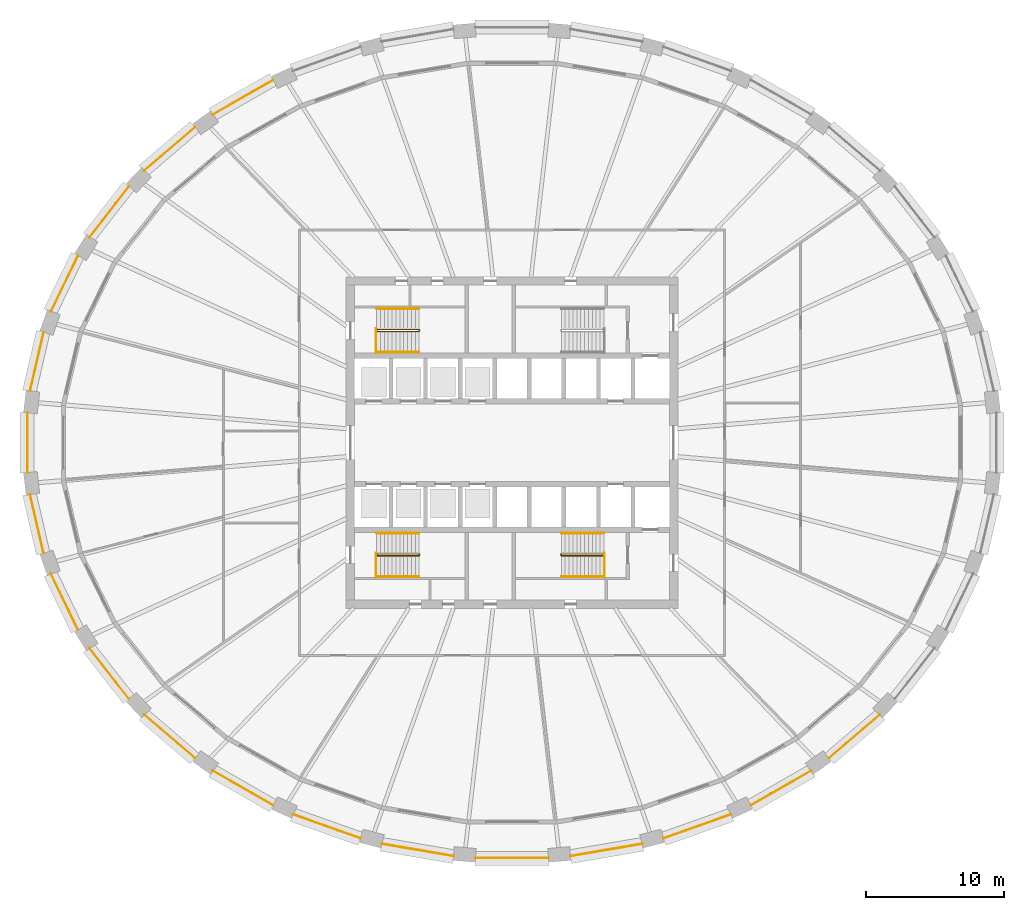
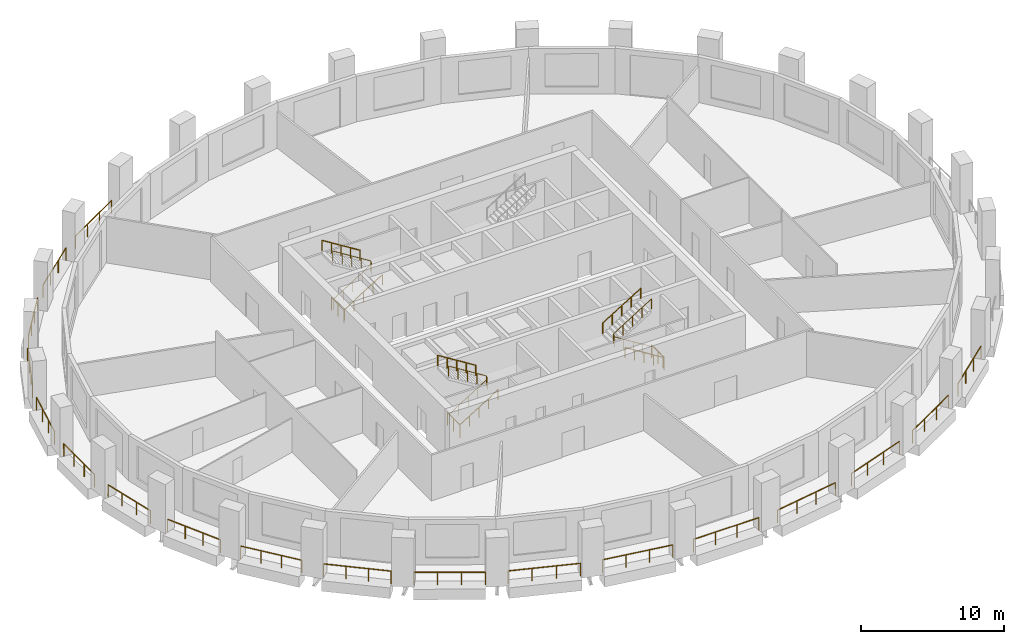
# One storey, part 8 of 10: 30 railings.
"""IFC4 building model written with IfcOpenShell, lengths in metres."""

from ifc_helpers import new_model, si_unit, direction, frame, origin, origin_2d, place, context, subcontext, project, spatial, circle, extrude, material, type_object, element, save


model = new_model("IFC4")

# Units and contexts
model_context = context("Model", 3, precision=1e-05, world=origin(), true_north=direction((0.0, 1.0)))
body_context = subcontext(model_context, "Body", "Model", "MODEL_VIEW")
ifc_project = project(units=[si_unit("LENGTHUNIT", "METRE"), si_unit("AREAUNIT", "SQUARE_METRE"), si_unit("VOLUMEUNIT", "CUBIC_METRE"), si_unit("PLANEANGLEUNIT", "RADIAN"), si_unit("MASSUNIT", "GRAM", prefix="KILO")], contexts=[model_context])

# Site, building, storey
site_placement = place(None, origin())
site = spatial("IfcSite", under=ifc_project, at=site_placement, CompositionType="ELEMENT")
building_placement = place(site_placement, origin())
building = spatial("IfcBuilding", under=site, at=building_placement, Name="Halqa Exchange Tower", CompositionType="ELEMENT")
storey_placement = place(building_placement, frame((0.0, 0.0, 112.89990234375)))
storey = spatial("IfcBuildingStorey", under=building, at=storey_placement, Name="L25", CompositionType="ELEMENT", Elevation=112.89990234375)

# Railings
ifc_material = material(Name="Stainless steel", Category="steel")
railing_type_1 = type_object("IfcRailingType", Name="Guard 1100 stainless steel", PredefinedType="GUARDRAIL", material=ifc_material)
railing_1_placement = place(storey_placement, frame((-17.30859375, 26.2451171875, 0.0)))
element("IfcRailing", 1, at=railing_1_placement, inside=storey, type_object=railing_type_1, Name="Loggia guard 11", PredefinedType="GUARDRAIL", context=body_context, shape_type="SweptSolid", body=[
    extrude(circle(Radius=0.02392578125, at=origin_2d()), frame((0.0, 0.0, 1.076171875), z_axis=(-0.86773991674, -0.497018547839, 0.0), x_axis=(0.497018547839, -0.86773991674, 0.0)), (0.0, 0.0, 1.0), 5.020263671875),
    extrude(circle(Radius=0.02099609375, at=origin_2d()), origin(), (0.0, 0.0, 1.0), 1.052001953125),
    extrude(circle(Radius=0.02099609375, at=origin_2d()), frame((-1.4521484375, -0.831787109375, 0.0)), (0.0, 0.0, 1.0), 1.052001953125),
    extrude(circle(Radius=0.02099609375, at=origin_2d()), frame((-2.904052734375, -1.663330078125, 0.0)), (0.0, 0.0, 1.0), 1.052001953125),
    extrude(circle(Radius=0.02099609375, at=origin_2d()), frame((-4.356201171875, -2.4951171875, 0.0)), (0.0, 0.0, 1.0), 1.052001953125),
])
railing_2_placement = place(storey_placement, frame((-22.96630859375, 22.831787109375, 0.0)))
element("IfcRailing", 2, at=railing_2_placement, inside=storey, type_object=railing_type_1, Name="Loggia guard 12", PredefinedType="GUARDRAIL", context=body_context, shape_type="SweptSolid", body=[
    extrude(circle(Radius=0.02392578125, at=origin_2d()), frame((0.0, 0.0, 1.076171875), z_axis=(-0.759281553551, -0.65076226261, 0.0), x_axis=(0.65076226261, -0.759281553551, 0.0)), (0.0, 0.0, 1.0), 4.834716796875),
    extrude(circle(Radius=0.02099609375, at=origin_2d()), origin(), (0.0, 0.0, 1.0), 1.052001953125),
    extrude(circle(Radius=0.02099609375, at=origin_2d()), frame((-1.2236328125, -1.048828125, 0.0)), (0.0, 0.0, 1.0), 1.052001953125),
    extrude(circle(Radius=0.02099609375, at=origin_2d()), frame((-2.447265625, -2.097412109375, 0.0)), (0.0, 0.0, 1.0), 1.052001953125),
    extrude(circle(Radius=0.02099609375, at=origin_2d()), frame((-3.6708984375, -3.146240234375, 0.0)), (0.0, 0.0, 1.0), 1.052001953125),
])
railing_3_placement = place(storey_placement, frame((-27.736328125, 18.533935546875, 0.0)))
element("IfcRailing", 3, at=railing_3_placement, inside=storey, type_object=railing_type_1, Name="Loggia guard 13", PredefinedType="GUARDRAIL", context=body_context, shape_type="SweptSolid", body=[
    extrude(circle(Radius=0.02392578125, at=origin_2d()), frame((0.0, 0.0, 1.076171875), z_axis=(-0.614810152043, -0.788675140311, 0.0), x_axis=(0.788675140311, -0.614810152043, 0.0)), (0.0, 0.0, 1.0), 4.643798828125),
    extrude(circle(Radius=0.02099609375, at=origin_2d()), origin(), (0.0, 0.0, 1.0), 1.052001953125),
    extrude(circle(Radius=0.02099609375, at=origin_2d()), frame((-0.95166015625, -1.220703125, 0.0)), (0.0, 0.0, 1.0), 1.052001953125),
    extrude(circle(Radius=0.02099609375, at=origin_2d()), frame((-1.9033203125, -2.441650390625, 0.0)), (0.0, 0.0, 1.0), 1.052001953125),
    extrude(circle(Radius=0.02099609375, at=origin_2d()), frame((-2.85498046875, -3.662353515625, 0.0)), (0.0, 0.0, 1.0), 1.052001953125),
])
railing_4_placement = place(storey_placement, frame((-31.43115234375, 13.5205078125, 0.0)))
element("IfcRailing", 4, at=railing_4_placement, inside=storey, type_object=railing_type_1, Name="Loggia guard 14", PredefinedType="GUARDRAIL", context=body_context, shape_type="SweptSolid", body=[
    extrude(circle(Radius=0.02392578125, at=origin_2d()), frame((0.0, 0.0, 1.076171875), z_axis=(-0.435087610116, -0.900388122714, 0.0), x_axis=(0.900388122714, -0.435087610116, 0.0)), (0.0, 0.0, 1.0), 4.476806640625),
    extrude(circle(Radius=0.02099609375, at=origin_2d()), origin(), (0.0, 0.0, 1.0), 1.052001953125),
    extrude(circle(Radius=0.02099609375, at=origin_2d()), frame((-0.649169921875, -1.343505859375, 0.0)), (0.0, 0.0, 1.0), 1.052001953125),
    extrude(circle(Radius=0.02099609375, at=origin_2d()), frame((-1.298583984375, -2.687255859375, 0.0)), (0.0, 0.0, 1.0), 1.052001953125),
    extrude(circle(Radius=0.02099609375, at=origin_2d()), frame((-1.94775390625, -4.03076171875, 0.0)), (0.0, 0.0, 1.0), 1.052001953125),
])
railing_5_placement = place(storey_placement, frame((-33.907958984375, 7.990234375, 0.0)))
element("IfcRailing", 5, at=railing_5_placement, inside=storey, type_object=railing_type_1, Name="Loggia guard 15", PredefinedType="GUARDRAIL", context=body_context, shape_type="SweptSolid", body=[
    extrude(circle(Radius=0.02392578125, at=origin_2d()), frame((0.0, 0.0, 1.076171875), z_axis=(-0.226069025271, -0.974111285128, 0.0), x_axis=(0.974111285128, -0.226069025271, 0.0)), (0.0, 0.0, 1.0), 4.363037109375),
    extrude(circle(Radius=0.02099609375, at=origin_2d()), origin(), (0.0, 0.0, 1.0), 1.052001953125),
    extrude(circle(Radius=0.02099609375, at=origin_2d()), frame((-0.328857421875, -1.416748046875, 0.0)), (0.0, 0.0, 1.0), 1.052001953125),
    extrude(circle(Radius=0.02099609375, at=origin_2d()), frame((-0.657470703125, -2.833251953125, 0.0)), (0.0, 0.0, 1.0), 1.052001953125),
    extrude(circle(Radius=0.02099609375, at=origin_2d()), frame((-0.986328125, -4.25, 0.0)), (0.0, 0.0, 1.0), 1.052001953125),
])
railing_6_placement = place(storey_placement, frame((-35.074951171875, 2.160888671875, 0.0)))
element("IfcRailing", 6, at=railing_6_placement, inside=storey, type_object=railing_type_1, Name="Loggia guard 16", PredefinedType="GUARDRAIL", context=body_context, shape_type="SweptSolid", body=[
    extrude(circle(Radius=0.02392578125, at=origin_2d()), frame((0.0, 0.0, 1.076171875), z_axis=(0.0, -1.0, 0.0), x_axis=(1.0, 0.0, 0.0)), (0.0, 0.0, 1.0), 4.32177734375),
    extrude(circle(Radius=0.02099609375, at=origin_2d()), origin(), (0.0, 0.0, 1.0), 1.052001953125),
    extrude(circle(Radius=0.02099609375, at=origin_2d()), frame((0.0, -1.440673828125, 0.0)), (0.0, 0.0, 1.0), 1.052001953125),
    extrude(circle(Radius=0.02099609375, at=origin_2d()), frame((0.0, -2.881103515625, 0.0)), (0.0, 0.0, 1.0), 1.052001953125),
    extrude(circle(Radius=0.02099609375, at=origin_2d()), frame((0.0, -4.32177734375, 0.0)), (0.0, 0.0, 1.0), 1.052001953125),
])
railing_7_placement = place(storey_placement, frame((-34.894287109375, -3.740234375, 0.0)))
element("IfcRailing", 7, at=railing_7_placement, inside=storey, type_object=railing_type_1, Name="Loggia guard 17", PredefinedType="GUARDRAIL", context=body_context, shape_type="SweptSolid", body=[
    extrude(circle(Radius=0.02392578125, at=origin_2d()), frame((0.0, 0.0, 1.076171875), z_axis=(0.226069025271, -0.974111285128, 0.0), x_axis=(0.974111285128, 0.226069025271, 0.0)), (0.0, 0.0, 1.0), 4.363037109375),
    extrude(circle(Radius=0.02099609375, at=origin_2d()), origin(), (0.0, 0.0, 1.0), 1.052001953125),
    extrude(circle(Radius=0.02099609375, at=origin_2d()), frame((0.328857421875, -1.416748046875, 0.0)), (0.0, 0.0, 1.0), 1.052001953125),
    extrude(circle(Radius=0.02099609375, at=origin_2d()), frame((0.657470703125, -2.833251953125, 0.0)), (0.0, 0.0, 1.0), 1.052001953125),
    extrude(circle(Radius=0.02099609375, at=origin_2d()), frame((0.986328125, -4.25, 0.0)), (0.0, 0.0, 1.0), 1.052001953125),
])
railing_8_placement = place(storey_placement, frame((-33.37890625, -9.48974609375, 0.0)))
element("IfcRailing", 8, at=railing_8_placement, inside=storey, type_object=railing_type_1, Name="Loggia guard 18", PredefinedType="GUARDRAIL", context=body_context, shape_type="SweptSolid", body=[
    extrude(circle(Radius=0.02392578125, at=origin_2d()), frame((0.0, 0.0, 1.076171875), z_axis=(0.435087610116, -0.900388122714, 0.0), x_axis=(0.900388122714, 0.435087610116, 0.0)), (0.0, 0.0, 1.0), 4.476806640625),
    extrude(circle(Radius=0.02099609375, at=origin_2d()), origin(), (0.0, 0.0, 1.0), 1.052001953125),
    extrude(circle(Radius=0.02099609375, at=origin_2d()), frame((0.649169921875, -1.343505859375, 0.0)), (0.0, 0.0, 1.0), 1.052001953125),
    extrude(circle(Radius=0.02099609375, at=origin_2d()), frame((1.298583984375, -2.687255859375, 0.0)), (0.0, 0.0, 1.0), 1.052001953125),
    extrude(circle(Radius=0.02099609375, at=origin_2d()), frame((1.94775390625, -4.03076171875, 0.0)), (0.0, 0.0, 1.0), 1.052001953125),
])
railing_9_placement = place(storey_placement, frame((-30.59130859375, -14.87158203125, 0.0)))
element("IfcRailing", 9, at=railing_9_placement, inside=storey, type_object=railing_type_1, Name="Loggia guard 19", PredefinedType="GUARDRAIL", context=body_context, shape_type="SweptSolid", body=[
    extrude(circle(Radius=0.02392578125, at=origin_2d()), frame((0.0, 0.0, 1.076171875), z_axis=(0.614810152043, -0.788675140311, 0.0), x_axis=(0.788675140311, 0.614810152043, 0.0)), (0.0, 0.0, 1.0), 4.643798828125),
    extrude(circle(Radius=0.02099609375, at=origin_2d()), origin(), (0.0, 0.0, 1.0), 1.052001953125),
    extrude(circle(Radius=0.02099609375, at=origin_2d()), frame((0.95166015625, -1.220703125, 0.0)), (0.0, 0.0, 1.0), 1.052001953125),
    extrude(circle(Radius=0.02099609375, at=origin_2d()), frame((1.9033203125, -2.441650390625, 0.0)), (0.0, 0.0, 1.0), 1.052001953125),
    extrude(circle(Radius=0.02099609375, at=origin_2d()), frame((2.85498046875, -3.662353515625, 0.0)), (0.0, 0.0, 1.0), 1.052001953125),
])
railing_10_placement = place(storey_placement, frame((-26.63720703125, -19.685546875, 0.0)))
element("IfcRailing", 10, at=railing_10_placement, inside=storey, type_object=railing_type_1, Name="Loggia guard 20", PredefinedType="GUARDRAIL", context=body_context, shape_type="SweptSolid", body=[
    extrude(circle(Radius=0.02392578125, at=origin_2d()), frame((0.0, 0.0, 1.076171875), z_axis=(0.759281553551, -0.65076226261, 0.0), x_axis=(0.65076226261, 0.759281553551, 0.0)), (0.0, 0.0, 1.0), 4.834716796875),
    extrude(circle(Radius=0.02099609375, at=origin_2d()), origin(), (0.0, 0.0, 1.0), 1.052001953125),
    extrude(circle(Radius=0.02099609375, at=origin_2d()), frame((1.2236328125, -1.048828125, 0.0)), (0.0, 0.0, 1.0), 1.052001953125),
    extrude(circle(Radius=0.02099609375, at=origin_2d()), frame((2.447265625, -2.097412109375, 0.0)), (0.0, 0.0, 1.0), 1.052001953125),
    extrude(circle(Radius=0.02099609375, at=origin_2d()), frame((3.6708984375, -3.146240234375, 0.0)), (0.0, 0.0, 1.0), 1.052001953125),
])
railing_11_placement = place(storey_placement, frame((-21.664794921875, -23.75, 0.0)))
element("IfcRailing", 11, at=railing_11_placement, inside=storey, type_object=railing_type_1, Name="Loggia guard 21", PredefinedType="GUARDRAIL", context=body_context, shape_type="SweptSolid", body=[
    extrude(circle(Radius=0.02392578125, at=origin_2d()), frame((0.0, 0.0, 1.076171875), z_axis=(0.86773991674, -0.497018547839, 0.0), x_axis=(0.497018547839, 0.86773991674, 0.0)), (0.0, 0.0, 1.0), 5.020263671875),
    extrude(circle(Radius=0.02099609375, at=origin_2d()), origin(), (0.0, 0.0, 1.0), 1.052001953125),
    extrude(circle(Radius=0.02099609375, at=origin_2d()), frame((1.4521484375, -0.831787109375, 0.0)), (0.0, 0.0, 1.0), 1.052001953125),
    extrude(circle(Radius=0.02099609375, at=origin_2d()), frame((2.904052734375, -1.663330078125, 0.0)), (0.0, 0.0, 1.0), 1.052001953125),
    extrude(circle(Radius=0.02099609375, at=origin_2d()), frame((4.356201171875, -2.4951171875, 0.0)), (0.0, 0.0, 1.0), 1.052001953125),
])
railing_12_placement = place(storey_placement, frame((-15.8603515625, -26.91015625, 0.0)))
element("IfcRailing", 12, at=railing_12_placement, inside=storey, type_object=railing_type_1, Name="Loggia guard 22", PredefinedType="GUARDRAIL", context=body_context, shape_type="SweptSolid", body=[
    extrude(circle(Radius=0.02392578125, at=origin_2d()), frame((0.0, 0.0, 1.076171875), z_axis=(0.942370162324, -0.334572080665, 0.0), x_axis=(0.334572080665, 0.942370162324, 0.0)), (0.0, 0.0, 1.0), 5.173583984375),
    extrude(circle(Radius=0.02099609375, at=origin_2d()), origin(), (0.0, 0.0, 1.0), 1.052001953125),
    extrude(circle(Radius=0.02099609375, at=origin_2d()), frame((1.625244140625, -0.576904296875, 0.0)), (0.0, 0.0, 1.0), 1.052001953125),
    extrude(circle(Radius=0.02099609375, at=origin_2d()), frame((3.250244140625, -1.154052734375, 0.0)), (0.0, 0.0, 1.0), 1.052001953125),
    extrude(circle(Radius=0.02099609375, at=origin_2d()), frame((4.87548828125, -1.73095703125, 0.0)), (0.0, 0.0, 1.0), 1.052001953125),
])
railing_13_placement = place(storey_placement, frame((-9.4423828125, -29.043212890625, 0.0)))
element("IfcRailing", 13, at=railing_13_placement, inside=storey, type_object=railing_type_1, Name="Loggia guard 23", PredefinedType="GUARDRAIL", context=body_context, shape_type="SweptSolid", body=[
    extrude(circle(Radius=0.02392578125, at=origin_2d()), frame((0.0, 0.0, 1.076171875), z_axis=(0.985774047585, -0.168075956366, 0.0), x_axis=(0.168075956366, 0.985774047585, 0.0)), (0.0, 0.0, 1.0), 5.274169921875),
    extrude(circle(Radius=0.02099609375, at=origin_2d()), origin(), (0.0, 0.0, 1.0), 1.052001953125),
    extrude(circle(Radius=0.02099609375, at=origin_2d()), frame((1.733154296875, -0.29541015625, 0.0)), (0.0, 0.0, 1.0), 1.052001953125),
    extrude(circle(Radius=0.02099609375, at=origin_2d()), frame((3.466064453125, -0.591064453125, 0.0)), (0.0, 0.0, 1.0), 1.052001953125),
    extrude(circle(Radius=0.02099609375, at=origin_2d()), frame((5.19921875, -0.886474609375, 0.0)), (0.0, 0.0, 1.0), 1.052001953125),
])
railing_14_placement = place(storey_placement, frame((-2.654541015625, -30.064208984375, 0.0)))
element("IfcRailing", 14, at=railing_14_placement, inside=storey, type_object=railing_type_1, Name="Loggia guard 24", PredefinedType="GUARDRAIL", context=body_context, shape_type="SweptSolid", body=[
    extrude(circle(Radius=0.02392578125, at=origin_2d()), frame((0.0, 0.0, 1.076171875), z_axis=(1.0, 0.0, 0.0), x_axis=(0.0, 1.0, 0.0)), (0.0, 0.0, 1.0), 5.30908203125),
    extrude(circle(Radius=0.02099609375, at=origin_2d()), origin(), (0.0, 0.0, 1.0), 1.052001953125),
    extrude(circle(Radius=0.02099609375, at=origin_2d()), frame((1.769775390625, 0.0, 0.0)), (0.0, 0.0, 1.0), 1.052001953125),
    extrude(circle(Radius=0.02099609375, at=origin_2d()), frame((3.539306640625, 0.0, 0.0)), (0.0, 0.0, 1.0), 1.052001953125),
    extrude(circle(Radius=0.02099609375, at=origin_2d()), frame((5.30908203125, 0.0, 0.0)), (0.0, 0.0, 1.0), 1.052001953125),
])
railing_15_placement = place(storey_placement, frame((4.2431640625, -29.9296875, 0.0)))
element("IfcRailing", 15, at=railing_15_placement, inside=storey, type_object=railing_type_1, Name="Loggia guard 25", PredefinedType="GUARDRAIL", context=body_context, shape_type="SweptSolid", body=[
    extrude(circle(Radius=0.02392578125, at=origin_2d()), frame((0.0, 0.0, 1.076171875), z_axis=(0.985774047585, 0.168075956366, 0.0), x_axis=(-0.168075956366, 0.985774047585, 0.0)), (0.0, 0.0, 1.0), 5.274169921875),
    extrude(circle(Radius=0.02099609375, at=origin_2d()), origin(), (0.0, 0.0, 1.0), 1.052001953125),
    extrude(circle(Radius=0.02099609375, at=origin_2d()), frame((1.733154296875, 0.29541015625, 0.0)), (0.0, 0.0, 1.0), 1.052001953125),
    extrude(circle(Radius=0.02099609375, at=origin_2d()), frame((3.466064453125, 0.591064453125, 0.0)), (0.0, 0.0, 1.0), 1.052001953125),
    extrude(circle(Radius=0.02099609375, at=origin_2d()), frame((5.19921875, 0.886474609375, 0.0)), (0.0, 0.0, 1.0), 1.052001953125),
])
railing_16_placement = place(storey_placement, frame((10.98486328125, -28.64111328125, 0.0)))
element("IfcRailing", 16, at=railing_16_placement, inside=storey, type_object=railing_type_1, Name="Loggia guard 26", PredefinedType="GUARDRAIL", context=body_context, shape_type="SweptSolid", body=[
    extrude(circle(Radius=0.02392578125, at=origin_2d()), frame((0.0, 0.0, 1.076171875), z_axis=(0.942370162324, 0.334572080665, 0.0), x_axis=(-0.334572080665, 0.942370162324, 0.0)), (0.0, 0.0, 1.0), 5.173583984375),
    extrude(circle(Radius=0.02099609375, at=origin_2d()), origin(), (0.0, 0.0, 1.0), 1.052001953125),
    extrude(circle(Radius=0.02099609375, at=origin_2d()), frame((1.625244140625, 0.576904296875, 0.0)), (0.0, 0.0, 1.0), 1.052001953125),
    extrude(circle(Radius=0.02099609375, at=origin_2d()), frame((3.250244140625, 1.154052734375, 0.0)), (0.0, 0.0, 1.0), 1.052001953125),
    extrude(circle(Radius=0.02099609375, at=origin_2d()), frame((4.87548828125, 1.73095703125, 0.0)), (0.0, 0.0, 1.0), 1.052001953125),
])
railing_17_placement = place(storey_placement, frame((17.30859375, -26.2451171875, 0.0)))
element("IfcRailing", 17, at=railing_17_placement, inside=storey, type_object=railing_type_1, Name="Loggia guard 27", PredefinedType="GUARDRAIL", context=body_context, shape_type="SweptSolid", body=[
    extrude(circle(Radius=0.02392578125, at=origin_2d()), frame((0.0, 0.0, 1.076171875), z_axis=(0.86773991674, 0.497018547839, 0.0), x_axis=(-0.497018547839, 0.86773991674, 0.0)), (0.0, 0.0, 1.0), 5.020263671875),
    extrude(circle(Radius=0.02099609375, at=origin_2d()), origin(), (0.0, 0.0, 1.0), 1.052001953125),
    extrude(circle(Radius=0.02099609375, at=origin_2d()), frame((1.4521484375, 0.831787109375, 0.0)), (0.0, 0.0, 1.0), 1.052001953125),
    extrude(circle(Radius=0.02099609375, at=origin_2d()), frame((2.904052734375, 1.663330078125, 0.0)), (0.0, 0.0, 1.0), 1.052001953125),
    extrude(circle(Radius=0.02099609375, at=origin_2d()), frame((4.356201171875, 2.4951171875, 0.0)), (0.0, 0.0, 1.0), 1.052001953125),
])
railing_18_placement = place(storey_placement, frame((22.96630859375, -22.831787109375, 0.0)))
element("IfcRailing", 18, at=railing_18_placement, inside=storey, type_object=railing_type_1, Name="Loggia guard 28", PredefinedType="GUARDRAIL", context=body_context, shape_type="SweptSolid", body=[
    extrude(circle(Radius=0.02392578125, at=origin_2d()), frame((0.0, 0.0, 1.076171875), z_axis=(0.759281553551, 0.65076226261, 0.0), x_axis=(-0.65076226261, 0.759281553551, 0.0)), (0.0, 0.0, 1.0), 4.834716796875),
    extrude(circle(Radius=0.02099609375, at=origin_2d()), origin(), (0.0, 0.0, 1.0), 1.052001953125),
    extrude(circle(Radius=0.02099609375, at=origin_2d()), frame((1.2236328125, 1.048828125, 0.0)), (0.0, 0.0, 1.0), 1.052001953125),
    extrude(circle(Radius=0.02099609375, at=origin_2d()), frame((2.447265625, 2.097412109375, 0.0)), (0.0, 0.0, 1.0), 1.052001953125),
    extrude(circle(Radius=0.02099609375, at=origin_2d()), frame((3.6708984375, 3.146240234375, 0.0)), (0.0, 0.0, 1.0), 1.052001953125),
])
railing_type_2 = type_object("IfcRailingType", Name="Stair handrail 900", PredefinedType="HANDRAIL", material=ifc_material)
railing_19_placement = place(storey_placement, frame((-9.800048828125, 8.06005859375, 0.175048828125)))
element("IfcRailing", 19, at=railing_19_placement, inside=storey, type_object=railing_type_2, Name="Handrail ST1.1", PredefinedType="HANDRAIL", context=body_context, shape_type="SweptSolid", body=[
    extrude(circle(Radius=0.02392578125, at=origin_2d()), frame((0.0, 0.0, 0.8759765625), z_axis=(0.847998304005, 0.0, 0.529998940003), x_axis=(0.0, 1.0, 0.0)), (0.0, 0.0, 1.0), 3.632080078125),
    extrude(circle(Radius=0.02392578125, at=origin_2d()), frame((3.080078125, 0.0, 2.80078125), z_axis=(0.0, 0.595870227118, 0.803080738428), x_axis=(-1.0, 0.0, 0.0)), (0.0, 0.0, 1.0), 0.218017578125),
    extrude(circle(Radius=0.02392578125, at=origin_2d()), frame((3.080078125, 0.1298828125, 2.97607421875), z_axis=(-0.847998304005, 0.0, 0.529998940003), x_axis=(0.0, -1.0, 0.0)), (0.0, 0.0, 1.0), 3.632080078125),
    extrude(circle(Radius=0.02099609375, at=origin_2d()), origin(), (0.0, 0.0, 1.0), 0.851806640625),
    extrude(circle(Radius=0.02099609375, at=origin_2d()), frame((0.77001953125, 0.0, 0.481201171875)), (0.0, 0.0, 1.0), 0.851806640625),
    extrude(circle(Radius=0.02099609375, at=origin_2d()), frame((1.5400390625, 0.0, 0.96240234375)), (0.0, 0.0, 1.0), 0.851806640625),
    extrude(circle(Radius=0.02099609375, at=origin_2d()), frame((2.31005859375, 0.0, 1.44384765625)), (0.0, 0.0, 1.0), 0.851806640625),
    extrude(circle(Radius=0.02099609375, at=origin_2d()), frame((3.080078125, 0.0, 1.925048828125)), (0.0, 0.0, 1.0), 0.851806640625),
    extrude(circle(Radius=0.02099609375, at=origin_2d()), frame((3.080078125, 0.1298828125, 2.10009765625)), (0.0, 0.0, 1.0), 0.851806640625),
    extrude(circle(Radius=0.02099609375, at=origin_2d()), frame((2.31005859375, 0.1298828125, 2.581298828125)), (0.0, 0.0, 1.0), 0.851806640625),
    extrude(circle(Radius=0.02099609375, at=origin_2d()), frame((1.5400390625, 0.1298828125, 3.0625)), (0.0, 0.0, 1.0), 0.851806640625),
    extrude(circle(Radius=0.02099609375, at=origin_2d()), frame((0.77001953125, 0.1298828125, 3.5439453125)), (0.0, 0.0, 1.0), 0.851806640625),
    extrude(circle(Radius=0.02099609375, at=origin_2d()), frame((0.0, 0.1298828125, 4.025146484375)), (0.0, 0.0, 1.0), 0.851806640625),
])
railing_20_placement = place(storey_placement, frame((-9.800048828125, 6.550048828125, 0.175048828125)))
element("IfcRailing", 20, at=railing_20_placement, inside=storey, type_object=railing_type_2, Name="Handrail ST1.2", PredefinedType="HANDRAIL", context=body_context, shape_type="SweptSolid", body=[
    extrude(circle(Radius=0.02392578125, at=origin_2d()), frame((0.0, 0.0, 0.8759765625), z_axis=(0.847998304005, 0.0, 0.529998940003), x_axis=(0.0, 1.0, 0.0)), (0.0, 0.0, 1.0), 3.632080078125),
    extrude(circle(Radius=0.02099609375, at=origin_2d()), origin(), (0.0, 0.0, 1.0), 0.851806640625),
    extrude(circle(Radius=0.02099609375, at=origin_2d()), frame((0.77001953125, 0.0, 0.481201171875)), (0.0, 0.0, 1.0), 0.851806640625),
    extrude(circle(Radius=0.02099609375, at=origin_2d()), frame((1.5400390625, 0.0, 0.96240234375)), (0.0, 0.0, 1.0), 0.851806640625),
    extrude(circle(Radius=0.02099609375, at=origin_2d()), frame((2.31005859375, 0.0, 1.44384765625)), (0.0, 0.0, 1.0), 0.851806640625),
    extrude(circle(Radius=0.02099609375, at=origin_2d()), frame((3.080078125, 0.0, 1.925048828125)), (0.0, 0.0, 1.0), 0.851806640625),
])
railing_21_placement = place(storey_placement, frame((-6.719970703125, 9.699951171875, 2.275146484375)))
element("IfcRailing", 21, at=railing_21_placement, inside=storey, type_object=railing_type_2, Name="Handrail ST1.3", PredefinedType="HANDRAIL", context=body_context, shape_type="SweptSolid", body=[
    extrude(circle(Radius=0.02392578125, at=origin_2d()), frame((0.0, 0.0, 0.8759765625), z_axis=(-0.847998304005, 0.0, 0.529998940003), x_axis=(0.0, -1.0, 0.0)), (0.0, 0.0, 1.0), 3.632080078125),
    extrude(circle(Radius=0.02099609375, at=origin_2d()), origin(), (0.0, 0.0, 1.0), 0.851806640625),
    extrude(circle(Radius=0.02099609375, at=origin_2d()), frame((-0.77001953125, 0.0, 0.481201171875)), (0.0, 0.0, 1.0), 0.851806640625),
    extrude(circle(Radius=0.02099609375, at=origin_2d()), frame((-1.5400390625, 0.0, 0.96240234375)), (0.0, 0.0, 1.0), 0.851806640625),
    extrude(circle(Radius=0.02099609375, at=origin_2d()), frame((-2.31005859375, 0.0, 1.44384765625)), (0.0, 0.0, 1.0), 0.851806640625),
    extrude(circle(Radius=0.02099609375, at=origin_2d()), frame((-3.080078125, 0.0, 1.925048828125)), (0.0, 0.0, 1.0), 0.851806640625),
])
railing_22_placement = place(storey_placement, frame((-9.800048828125, -8.18994140625, 0.175048828125)))
element("IfcRailing", 22, at=railing_22_placement, inside=storey, type_object=railing_type_2, Name="Handrail ST3.1", PredefinedType="HANDRAIL", context=body_context, shape_type="SweptSolid", body=[
    extrude(circle(Radius=0.02392578125, at=origin_2d()), frame((0.0, 0.0, 0.8759765625), z_axis=(0.847998304005, 0.0, 0.529998940003), x_axis=(0.0, 1.0, 0.0)), (0.0, 0.0, 1.0), 3.632080078125),
    extrude(circle(Radius=0.02392578125, at=origin_2d()), frame((3.080078125, 0.0, 2.80078125), z_axis=(0.0, 0.595870227118, 0.803080738428), x_axis=(-1.0, 0.0, 0.0)), (0.0, 0.0, 1.0), 0.218017578125),
    extrude(circle(Radius=0.02392578125, at=origin_2d()), frame((3.080078125, 0.1298828125, 2.97607421875), z_axis=(-0.847998304005, 0.0, 0.529998940003), x_axis=(0.0, -1.0, 0.0)), (0.0, 0.0, 1.0), 3.632080078125),
    extrude(circle(Radius=0.02099609375, at=origin_2d()), origin(), (0.0, 0.0, 1.0), 0.851806640625),
    extrude(circle(Radius=0.02099609375, at=origin_2d()), frame((0.77001953125, 0.0, 0.481201171875)), (0.0, 0.0, 1.0), 0.851806640625),
    extrude(circle(Radius=0.02099609375, at=origin_2d()), frame((1.5400390625, 0.0, 0.96240234375)), (0.0, 0.0, 1.0), 0.851806640625),
    extrude(circle(Radius=0.02099609375, at=origin_2d()), frame((2.31005859375, 0.0, 1.44384765625)), (0.0, 0.0, 1.0), 0.851806640625),
    extrude(circle(Radius=0.02099609375, at=origin_2d()), frame((3.080078125, 0.0, 1.925048828125)), (0.0, 0.0, 1.0), 0.851806640625),
    extrude(circle(Radius=0.02099609375, at=origin_2d()), frame((3.080078125, 0.1298828125, 2.10009765625)), (0.0, 0.0, 1.0), 0.851806640625),
    extrude(circle(Radius=0.02099609375, at=origin_2d()), frame((2.31005859375, 0.1298828125, 2.581298828125)), (0.0, 0.0, 1.0), 0.851806640625),
    extrude(circle(Radius=0.02099609375, at=origin_2d()), frame((1.5400390625, 0.1298828125, 3.0625)), (0.0, 0.0, 1.0), 0.851806640625),
    extrude(circle(Radius=0.02099609375, at=origin_2d()), frame((0.77001953125, 0.1298828125, 3.5439453125)), (0.0, 0.0, 1.0), 0.851806640625),
    extrude(circle(Radius=0.02099609375, at=origin_2d()), frame((0.0, 0.1298828125, 4.025146484375)), (0.0, 0.0, 1.0), 0.851806640625),
])
railing_23_placement = place(storey_placement, frame((-9.800048828125, -9.699951171875, 0.175048828125)))
element("IfcRailing", 23, at=railing_23_placement, inside=storey, type_object=railing_type_2, Name="Handrail ST3.2", PredefinedType="HANDRAIL", context=body_context, shape_type="SweptSolid", body=[
    extrude(circle(Radius=0.02392578125, at=origin_2d()), frame((0.0, 0.0, 0.8759765625), z_axis=(0.847998304005, 0.0, 0.529998940003), x_axis=(0.0, 1.0, 0.0)), (0.0, 0.0, 1.0), 3.632080078125),
    extrude(circle(Radius=0.02099609375, at=origin_2d()), origin(), (0.0, 0.0, 1.0), 0.851806640625),
    extrude(circle(Radius=0.02099609375, at=origin_2d()), frame((0.77001953125, 0.0, 0.481201171875)), (0.0, 0.0, 1.0), 0.851806640625),
    extrude(circle(Radius=0.02099609375, at=origin_2d()), frame((1.5400390625, 0.0, 0.96240234375)), (0.0, 0.0, 1.0), 0.851806640625),
    extrude(circle(Radius=0.02099609375, at=origin_2d()), frame((2.31005859375, 0.0, 1.44384765625)), (0.0, 0.0, 1.0), 0.851806640625),
    extrude(circle(Radius=0.02099609375, at=origin_2d()), frame((3.080078125, 0.0, 1.925048828125)), (0.0, 0.0, 1.0), 0.851806640625),
])
railing_24_placement = place(storey_placement, frame((-6.719970703125, -6.550048828125, 2.275146484375)))
element("IfcRailing", 24, at=railing_24_placement, inside=storey, type_object=railing_type_2, Name="Handrail ST3.3", PredefinedType="HANDRAIL", context=body_context, shape_type="SweptSolid", body=[
    extrude(circle(Radius=0.02392578125, at=origin_2d()), frame((0.0, 0.0, 0.8759765625), z_axis=(-0.847998304005, 0.0, 0.529998940003), x_axis=(0.0, -1.0, 0.0)), (0.0, 0.0, 1.0), 3.632080078125),
    extrude(circle(Radius=0.02099609375, at=origin_2d()), origin(), (0.0, 0.0, 1.0), 0.851806640625),
    extrude(circle(Radius=0.02099609375, at=origin_2d()), frame((-0.77001953125, 0.0, 0.481201171875)), (0.0, 0.0, 1.0), 0.851806640625),
    extrude(circle(Radius=0.02099609375, at=origin_2d()), frame((-1.5400390625, 0.0, 0.96240234375)), (0.0, 0.0, 1.0), 0.851806640625),
    extrude(circle(Radius=0.02099609375, at=origin_2d()), frame((-2.31005859375, 0.0, 1.44384765625)), (0.0, 0.0, 1.0), 0.851806640625),
    extrude(circle(Radius=0.02099609375, at=origin_2d()), frame((-3.080078125, 0.0, 1.925048828125)), (0.0, 0.0, 1.0), 0.851806640625),
])
railing_25_placement = place(storey_placement, frame((6.64990234375, -8.18994140625, 0.175048828125)))
element("IfcRailing", 25, at=railing_25_placement, inside=storey, type_object=railing_type_2, Name="Handrail ST4.1", PredefinedType="HANDRAIL", context=body_context, shape_type="SweptSolid", body=[
    extrude(circle(Radius=0.02392578125, at=origin_2d()), frame((0.0, 0.0, 0.8759765625), z_axis=(-0.847979421464, 0.0, 0.530029150871), x_axis=(0.0, -1.0, 0.0)), (0.0, 0.0, 1.0), 3.632080078125),
    extrude(circle(Radius=0.02392578125, at=origin_2d()), frame((-3.079833984375, 0.0, 2.80078125), z_axis=(0.0, 0.595870227118, 0.803080738428), x_axis=(-1.0, 0.0, 0.0)), (0.0, 0.0, 1.0), 0.218017578125),
    extrude(circle(Radius=0.02392578125, at=origin_2d()), frame((-3.079833984375, 0.1298828125, 2.97607421875), z_axis=(0.847979421464, 0.0, 0.530029150871), x_axis=(0.0, 1.0, 0.0)), (0.0, 0.0, 1.0), 3.632080078125),
    extrude(circle(Radius=0.02099609375, at=origin_2d()), origin(), (0.0, 0.0, 1.0), 0.851806640625),
    extrude(circle(Radius=0.02099609375, at=origin_2d()), frame((-0.77001953125, 0.0, 0.481201171875)), (0.0, 0.0, 1.0), 0.851806640625),
    extrude(circle(Radius=0.02099609375, at=origin_2d()), frame((-1.5400390625, 0.0, 0.96240234375)), (0.0, 0.0, 1.0), 0.851806640625),
    extrude(circle(Radius=0.02099609375, at=origin_2d()), frame((-2.309814453125, 0.0, 1.44384765625)), (0.0, 0.0, 1.0), 0.851806640625),
    extrude(circle(Radius=0.02099609375, at=origin_2d()), frame((-3.079833984375, 0.0, 1.925048828125)), (0.0, 0.0, 1.0), 0.851806640625),
    extrude(circle(Radius=0.02099609375, at=origin_2d()), frame((-3.079833984375, 0.1298828125, 2.10009765625)), (0.0, 0.0, 1.0), 0.851806640625),
    extrude(circle(Radius=0.02099609375, at=origin_2d()), frame((-2.309814453125, 0.1298828125, 2.581298828125)), (0.0, 0.0, 1.0), 0.851806640625),
    extrude(circle(Radius=0.02099609375, at=origin_2d()), frame((-1.5400390625, 0.1298828125, 3.0625)), (0.0, 0.0, 1.0), 0.851806640625),
    extrude(circle(Radius=0.02099609375, at=origin_2d()), frame((-0.77001953125, 0.1298828125, 3.5439453125)), (0.0, 0.0, 1.0), 0.851806640625),
    extrude(circle(Radius=0.02099609375, at=origin_2d()), frame((0.0, 0.1298828125, 4.025146484375)), (0.0, 0.0, 1.0), 0.851806640625),
])
railing_26_placement = place(storey_placement, frame((6.64990234375, -9.699951171875, 0.175048828125)))
element("IfcRailing", 26, at=railing_26_placement, inside=storey, type_object=railing_type_2, Name="Handrail ST4.2", PredefinedType="HANDRAIL", context=body_context, shape_type="SweptSolid", body=[
    extrude(circle(Radius=0.02392578125, at=origin_2d()), frame((0.0, 0.0, 0.8759765625), z_axis=(-0.847979421464, 0.0, 0.530029150871), x_axis=(0.0, -1.0, 0.0)), (0.0, 0.0, 1.0), 3.632080078125),
    extrude(circle(Radius=0.02099609375, at=origin_2d()), origin(), (0.0, 0.0, 1.0), 0.851806640625),
    extrude(circle(Radius=0.02099609375, at=origin_2d()), frame((-0.77001953125, 0.0, 0.481201171875)), (0.0, 0.0, 1.0), 0.851806640625),
    extrude(circle(Radius=0.02099609375, at=origin_2d()), frame((-1.5400390625, 0.0, 0.96240234375)), (0.0, 0.0, 1.0), 0.851806640625),
    extrude(circle(Radius=0.02099609375, at=origin_2d()), frame((-2.309814453125, 0.0, 1.44384765625)), (0.0, 0.0, 1.0), 0.851806640625),
    extrude(circle(Radius=0.02099609375, at=origin_2d()), frame((-3.079833984375, 0.0, 1.925048828125)), (0.0, 0.0, 1.0), 0.851806640625),
])
railing_27_placement = place(storey_placement, frame((3.570068359375, -6.550048828125, 2.275146484375)))
element("IfcRailing", 27, at=railing_27_placement, inside=storey, type_object=railing_type_2, Name="Handrail ST4.3", PredefinedType="HANDRAIL", context=body_context, shape_type="SweptSolid", body=[
    extrude(circle(Radius=0.02392578125, at=origin_2d()), frame((0.0, 0.0, 0.8759765625), z_axis=(0.847979421464, 0.0, 0.530029150871), x_axis=(0.0, 1.0, 0.0)), (0.0, 0.0, 1.0), 3.632080078125),
    extrude(circle(Radius=0.02099609375, at=origin_2d()), origin(), (0.0, 0.0, 1.0), 0.851806640625),
    extrude(circle(Radius=0.02099609375, at=origin_2d()), frame((0.77001953125, 0.0, 0.481201171875)), (0.0, 0.0, 1.0), 0.851806640625),
    extrude(circle(Radius=0.02099609375, at=origin_2d()), frame((1.5400390625, 0.0, 0.96240234375)), (0.0, 0.0, 1.0), 0.851806640625),
    extrude(circle(Radius=0.02099609375, at=origin_2d()), frame((2.309814453125, 0.0, 1.44384765625)), (0.0, 0.0, 1.0), 0.851806640625),
    extrude(circle(Radius=0.02099609375, at=origin_2d()), frame((3.079833984375, 0.0, 1.925048828125)), (0.0, 0.0, 1.0), 0.851806640625),
])
railing_type_3 = type_object("IfcRailingType", Name="Stair well guard 1100", PredefinedType="GUARDRAIL", material=ifc_material)
for number, where, name in (
    (28, (-9.85009765625, 6.5, 0.0), "Guard ST1 well"),
    (29, (-9.85009765625, -9.75, 0.0), "Guard ST3 well"),
    (30, (6.699951171875, -9.75, 0.0), "Guard ST4 well"),
):
    element("IfcRailing", number, at=place(storey_placement, frame(where)), inside=storey, type_object=railing_type_3, Name=name, PredefinedType="GUARDRAIL", context=body_context, shape_type="SweptSolid", body=[
        extrude(circle(Radius=0.02392578125, at=origin_2d()), frame((0.0, 0.0, 1.076171875), z_axis=(0.0, 1.0, 0.0), x_axis=(-1.0, 0.0, 0.0)), (0.0, 0.0, 1.0), 1.75),
        extrude(circle(Radius=0.02099609375, at=origin_2d()), origin(), (0.0, 0.0, 1.0), 1.052001953125),
        extrude(circle(Radius=0.02099609375, at=origin_2d()), frame((0.0, 0.875, 0.0)), (0.0, 0.0, 1.0), 1.052001953125),
        extrude(circle(Radius=0.02099609375, at=origin_2d()), frame((0.0, 1.75, 0.0)), (0.0, 0.0, 1.0), 1.052001953125),
    ])

save(model, "model.ifc")
